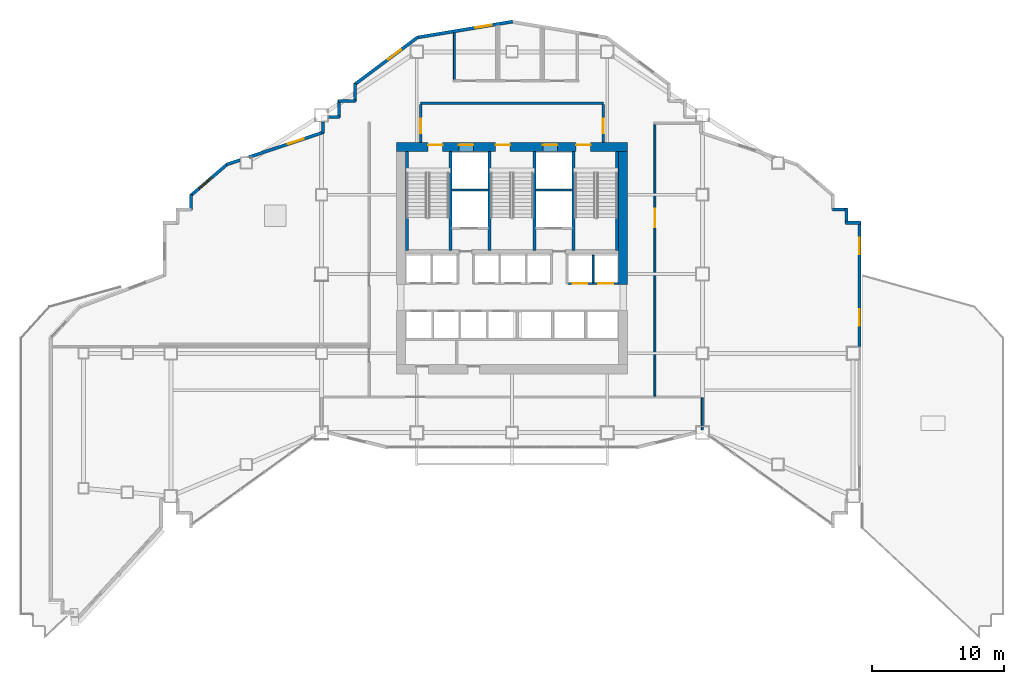
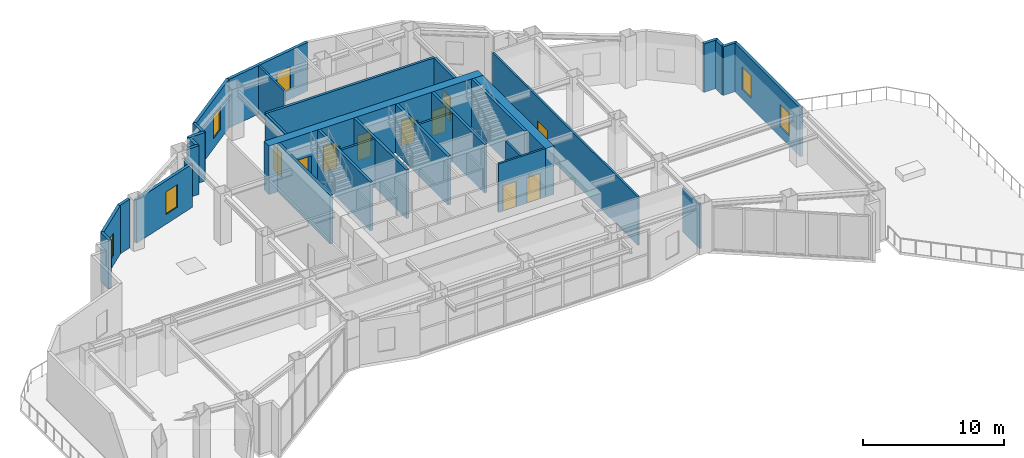
# One storey, part 11 of 19: 33 walls, 10 doors, 6 windows, 16 openings.
"""IFC4 building model written with IfcOpenShell, lengths in metres."""

import ifcopenshell
import ifcopenshell.guid

model = None  # the IFC model being written
_history = None  # IfcOwnerHistory: only IFC2X3 demands one
_inside = {}  # id of a spatial element -> (the spatial element, [elements in it])
_under = {}  # id of a project, library or spatial element -> (it, [spatial elements below it])
_declared = {}  # id of a project -> (the project, [libraries it declares])
_typed = {}  # id of a type object -> (the type object, [elements of that type])
_made_of = {}  # id of a material, layer set ... -> (it, [elements and type objects made of it])


def new_model(schema):
    """Start an empty IFC model of exactly this schema.

    Asked for "IFC4X3", IfcOpenShell would pick the latest addendum, in which some entities
    have other attributes; the version numbers below select the first issue.
    IFC2X3 requires an IfcOwnerHistory on every rooted entity: one is made here for all.
    """
    global model, _history
    if schema == "IFC4X3":
        model = ifcopenshell.file(schema_version=(4, 3, 0, 0))
    else:
        model = ifcopenshell.file(schema=schema)
    _inside.clear()
    _under.clear()
    _declared.clear()
    _typed.clear()
    _made_of.clear()
    _history = None
    if model.schema == "IFC2X3":
        org = make("IfcOrganization", Name="unknown")
        user = make(
            "IfcPersonAndOrganization",
            ThePerson=make("IfcPerson", FamilyName="unknown"),
            TheOrganization=org,
        )
        app = make(
            "IfcApplication",
            ApplicationDeveloper=org,
            Version="unknown",
            ApplicationFullName="unknown",
            ApplicationIdentifier="unknown",
        )
        _history = make(
            "IfcOwnerHistory",
            OwningUser=user,
            OwningApplication=app,
            ChangeAction="ADDED",
            CreationDate=0,
        )
    return model


def make(cls, **values):
    """One entity of the class cls with the attributes given. An attribute that is None is left unset."""
    return model.create_entity(
        cls, **{name: value for name, value in values.items() if value is not None}
    )


def rooted(cls, **values):
    """An entity with a GlobalId (a new one), such as an element, a storey or a relation."""
    return make(cls, GlobalId=ifcopenshell.guid.new(), OwnerHistory=_history, **values)


def si_unit(unit_type, name, prefix=None):
    """IfcSIUnit, for example si_unit("LENGTHUNIT", "METRE", prefix="MILLI")."""
    return make("IfcSIUnit", UnitType=unit_type, Prefix=prefix, Name=name)


def assignment(units):
    """IfcUnitAssignment: the units of a project."""
    return None if units is None else make("IfcUnitAssignment", Units=units)


def point(xyz):
    """IfcCartesianPoint."""
    return None if xyz is None else make("IfcCartesianPoint", Coordinates=xyz)


def direction(xyz):
    """IfcDirection."""
    return None if xyz is None else make("IfcDirection", DirectionRatios=xyz)


def frame(location, z_axis=None, x_axis=None):
    """IfcAxis2Placement3D, a coordinate frame: its origin and axes. An axis left out is left unset."""
    return make(
        "IfcAxis2Placement3D",
        Location=point(location),
        Axis=direction(z_axis),
        RefDirection=direction(x_axis),
    )


def frame_2d(location, x_axis=None):
    """IfcAxis2Placement2D, a coordinate frame in the plane: its origin and x axis."""
    return make(
        "IfcAxis2Placement2D", Location=point(location), RefDirection=direction(x_axis)
    )


def origin():
    """The frame at (0, 0, 0) with its axes left unset."""
    return frame((0.0, 0.0, 0.0))


def place(relative_to, where):
    """IfcLocalPlacement: puts the frame where relative to a parent placement (None: the world)."""
    return make(
        "IfcLocalPlacement", PlacementRelTo=relative_to, RelativePlacement=where
    )


def context(
    kind, dimensions, precision=None, world=None, true_north=None, identifier=None
):
    """IfcGeometricRepresentationContext, for example the 3D "Model" context."""
    return make(
        "IfcGeometricRepresentationContext",
        ContextIdentifier=identifier,
        ContextType=kind,
        CoordinateSpaceDimension=dimensions,
        Precision=precision,
        WorldCoordinateSystem=world,
        TrueNorth=true_north,
    )


def subcontext(parent, identifier, kind, view, scale=None):
    """IfcGeometricRepresentationSubContext, for example "Body" below "Model"."""
    return make(
        "IfcGeometricRepresentationSubContext",
        ContextIdentifier=identifier,
        ContextType=kind,
        ParentContext=parent,
        TargetScale=scale,
        TargetView=view,
    )


def project(units=None, contexts=None):
    """IfcProject with its units and contexts."""
    return rooted(
        "IfcProject",
        Name="project",
        RepresentationContexts=contexts,
        UnitsInContext=assignment(units),
    )


def spatial(cls, under=None, at=None, **own):
    """A site, building, storey or space (cls), placed at a placement, below another one or the project."""
    s = rooted(cls, ObjectPlacement=at, **own)
    if under is not None:
        _under.setdefault(under.id(), (under, []))[1].append(s)
    return s


def profile(cls, at=None, kind="AREA", **sizes):
    """A parametric profile (cls). Its sizes go by their IFC names, for example OverallWidth=200.0."""
    return make(cls, ProfileType=kind, Position=at, **sizes)


def rectangle(**sizes):
    """IfcRectangleProfileDef."""
    return profile("IfcRectangleProfileDef", **sizes)


def extrude(swept, where, along, depth):
    """IfcExtrudedAreaSolid: the profile swept, set in the frame where, extruded along a direction by depth."""
    return make(
        "IfcExtrudedAreaSolid",
        SweptArea=swept,
        Position=where,
        ExtrudedDirection=direction(along),
        Depth=depth,
    )


def shape(context_of_items, identifier, shape_type, items):
    """IfcShapeRepresentation: the items that make up one representation, for example the "Body"."""
    return make(
        "IfcShapeRepresentation",
        ContextOfItems=context_of_items,
        RepresentationIdentifier=identifier,
        RepresentationType=shape_type,
        Items=items,
    )


def material(Name=None, Category=None):
    """IfcMaterial."""
    return make("IfcMaterial", Name=Name, Category=Category)


def layer(
    of_material, thickness, ventilated=None, Name=None, Category=None, Priority=None
):
    """IfcMaterialLayer: one layer of a wall or slab, of a material (None: an air gap)."""
    return make(
        "IfcMaterialLayer",
        Material=of_material,
        LayerThickness=thickness,
        IsVentilated=ventilated,
        Name=Name,
        Category=Category,
        Priority=Priority,
    )


def layer_set(layers, Name=None):
    """IfcMaterialLayerSet."""
    return make("IfcMaterialLayerSet", MaterialLayers=layers, LayerSetName=Name)


def made_of(thing, what):
    """Note that an element or type object is made of a material, layer set ...; save() writes the relation."""
    if what is not None:
        _made_of.setdefault(what.id(), (what, []))[1].append(thing)
    return thing


def type_object(cls, material=None, **own):
    """A type object (cls), such as IfcWallType, which elements share."""
    return made_of(rooted(cls, **own), material)


def element(
    cls,
    number,
    at=None,
    inside=None,
    cuts=None,
    type_object=None,
    material=None,
    context=None,
    identifier="Body",
    shape_type=None,
    held_by="IfcProductDefinitionShape",
    body=None,
    shapes=None,
    **own,
):
    """One element of the class cls, such as IfcWall. Its Tag is "e" and its number.

    at: its placement. inside: the storey or other place that contains it. cuts: it is an
    opening in that element (IfcRelVoidsElement). A single representation is given by context,
    identifier, shape_type and body (its items); several are given by shapes. held_by: the class
    of the entity that holds the representations. save() writes the other relations.
    """
    e = rooted(cls, Tag="e%d" % number, ObjectPlacement=at, **own)
    if body is not None:
        shapes = [shape(context, identifier, shape_type, body)]
    if shapes is not None:
        e.Representation = make(held_by, Representations=shapes)
    if inside is not None:
        _inside.setdefault(inside.id(), (inside, []))[1].append(e)
    if cuts is not None:
        rooted(
            "IfcRelVoidsElement", RelatingBuildingElement=cuts, RelatedOpeningElement=e
        )
    if type_object is not None:
        _typed.setdefault(type_object.id(), (type_object, []))[1].append(e)
    return made_of(e, material)


def fill(opening, filler):
    """IfcRelFillsElement: the door or window that sits in an opening."""
    return rooted(
        "IfcRelFillsElement",
        RelatingOpeningElement=opening,
        RelatedBuildingElement=filler,
    )


def aggregate(whole, parts):
    """IfcRelAggregates: a whole, such as a stair, and the parts it consists of."""
    return rooted("IfcRelAggregates", RelatingObject=whole, RelatedObjects=parts)


def save(model, path):
    """Write the relations noted so far, then the file.

    IfcRelAggregates (storeys below a building ...), IfcRelContainedInSpatialStructure (elements
    in a storey), IfcRelDefinesByType, IfcRelAssociatesMaterial and IfcRelDeclares: one each for
    every whole, place, type object, material and project.
    """
    for whole, parts in _under.values():
        aggregate(whole, parts)
    for where, things in _inside.values():
        rooted(
            "IfcRelContainedInSpatialStructure",
            RelatedElements=things,
            RelatingStructure=where,
        )
    for kind, things in _typed.values():
        rooted("IfcRelDefinesByType", RelatedObjects=things, RelatingType=kind)
    for what, things in _made_of.values():
        rooted("IfcRelAssociatesMaterial", RelatedObjects=things, RelatingMaterial=what)
    for by, libraries in _declared.values():
        rooted("IfcRelDeclares", RelatingContext=by, RelatedDefinitions=libraries)
    model.write(path)


model = new_model("IFC4")

# Units and contexts
model_context = context("Model", 3, precision=1e-05, world=origin(), true_north=direction((0.0, 1.0)))
body_context = subcontext(model_context, "Body", "Model", "MODEL_VIEW")
ifc_project = project(units=[si_unit("LENGTHUNIT", "METRE"), si_unit("AREAUNIT", "SQUARE_METRE"), si_unit("VOLUMEUNIT", "CUBIC_METRE"), si_unit("PLANEANGLEUNIT", "RADIAN"), si_unit("MASSUNIT", "GRAM", prefix="KILO")], contexts=[model_context])

# Site, building, storey
site_placement = place(None, origin())
site = spatial("IfcSite", under=ifc_project, at=site_placement, CompositionType="ELEMENT")
building_placement = place(site_placement, origin())
building = spatial("IfcBuilding", under=site, at=building_placement, Name="Haolan Belvedere Tower", CompositionType="ELEMENT")
storey_placement = place(building_placement, frame((0.0, 0.0, 94.0)))
storey = spatial("IfcBuildingStorey", under=building, at=storey_placement, Name="L23", CompositionType="ELEMENT", Elevation=94.0)

# Wall, openings, doors
ifc_material_1 = material(Name="Concrete C60/75", Category="concrete")
ifc_layer_1 = layer(ifc_material_1, 0.699951171875, Name="Concrete C60/75")
ifc_layer_set_1 = layer_set([ifc_layer_1], Name="Concrete C60/75")
wall_type_1 = type_object("IfcWallType", Name="WL-CORE-700", PredefinedType="SHEAR", material=ifc_layer_set_1)
wall_1_placement = place(storey_placement, frame((29.64990234375, 43.199951171875, 0.0), z_axis=(0.0, 0.0, 1.0), x_axis=(1.0, 0.0, 0.0)))
wall_1 = element("IfcWall", 1, at=wall_1_placement, inside=storey, type_object=wall_type_1, Name="L23 central core north shear wall", PredefinedType="SHEAR", context=body_context, shape_type="SweptSolid", body=[
    extrude(rectangle(XDim=17.5, YDim=0.699951171875, at=frame_2d((8.75, 0.0))), origin(), (0.0, 0.0, 1.0), 4.199951171875),
])
opening_1_placement = place(wall_1_placement, frame((2.39990234375, 0.0, 0.0)))
opening_1 = element("IfcOpeningElement", 2, at=opening_1_placement, cuts=wall_1, Name="Opening FD-03", PredefinedType="OPENING", context=body_context, shape_type="SweptSolid", body=[
    extrude(rectangle(XDim=1.10009765625, YDim=2.14990234375, at=frame_2d((0.550048828125, 1.074951171875))), frame((0.0, 0.35986328125, 0.0), z_axis=(0.0, -1.0, 0.0), x_axis=(1.0, 0.0, 0.0)), (0.0, 0.0, 1.0), 0.719970703125),
])
opening_2_placement = place(wall_1_placement, frame((7.510009765625, 0.0, 0.0)))
opening_2 = element("IfcOpeningElement", 3, at=opening_2_placement, cuts=wall_1, Name="Opening FD-03", PredefinedType="OPENING", context=body_context, shape_type="SweptSolid", body=[
    extrude(rectangle(XDim=1.10009765625, YDim=2.14990234375, at=frame_2d((0.550048828125, 1.074951171875))), frame((0.0, 0.35986328125, 0.0), z_axis=(0.0, -1.0, 0.0), x_axis=(1.0, 0.0, 0.0)), (0.0, 0.0, 1.0), 0.719970703125),
])
opening_3_placement = place(wall_1_placement, frame((13.60009765625, 0.0, 0.0)))
opening_3 = element("IfcOpeningElement", 4, at=opening_3_placement, cuts=wall_1, Name="Opening FD-03", PredefinedType="OPENING", context=body_context, shape_type="SweptSolid", body=[
    extrude(rectangle(XDim=1.10009765625, YDim=2.14990234375, at=frame_2d((0.550048828125, 1.074951171875))), frame((0.0, 0.35986328125, 0.0), z_axis=(0.0, -1.0, 0.0), x_axis=(1.0, 0.0, 0.0)), (0.0, 0.0, 1.0), 0.719970703125),
])
opening_4_placement = place(wall_1_placement, frame((4.72998046875, 0.0, 0.0)))
opening_4 = element("IfcOpeningElement", 5, at=opening_4_placement, cuts=wall_1, Name="Opening LD-01", PredefinedType="OPENING", context=body_context, shape_type="SweptSolid", body=[
    extrude(rectangle(XDim=1.10009765625, YDim=2.199951171875, at=frame_2d((0.550048828125, 1.10009765625))), frame((0.0, 0.35986328125, 0.0), z_axis=(0.0, -1.0, 0.0), x_axis=(1.0, 0.0, 0.0)), (0.0, 0.0, 1.0), 0.719970703125),
])
opening_5_placement = place(wall_1_placement, frame((11.090087890625, 0.0, 0.0)))
opening_5 = element("IfcOpeningElement", 6, at=opening_5_placement, cuts=wall_1, Name="Opening LD-01", PredefinedType="OPENING", context=body_context, shape_type="SweptSolid", body=[
    extrude(rectangle(XDim=1.10009765625, YDim=2.199951171875, at=frame_2d((0.550048828125, 1.10009765625))), frame((0.0, 0.35986328125, 0.0), z_axis=(0.0, -1.0, 0.0), x_axis=(1.0, 0.0, 0.0)), (0.0, 0.0, 1.0), 0.719970703125),
])
ifc_material_2 = material(Name="Galvanised fire-rated steel", Category="steel")
door_type_1 = type_object("IfcDoorType", Name="DR-FD90-1100", OperationType="NOTDEFINED", PredefinedType="DOOR", material=ifc_material_2)
door_1_placement = place(opening_1_placement, origin())
door_1 = element("IfcDoor", 7, at=door_1_placement, inside=storey, type_object=door_type_1, Name="L23 door CD-L23-ST1", OperationType="SINGLE_SWING_LEFT", OverallHeight=2.14990234375, OverallWidth=1.10009765625, PredefinedType="DOOR", context=body_context, shape_type="SweptSolid", body=[
    extrude(rectangle(XDim=1.10009765625, YDim=2.14990234375, at=frame_2d((0.550048828125, 1.074951171875))), frame((0.0, 0.18505859375, 0.0), z_axis=(0.0, -1.0, 0.0), x_axis=(1.0, 0.0, 0.0)), (0.0, 0.0, 1.0), 0.050048828125),
])
fill(opening_1, door_1)
door_2_placement = place(opening_2_placement, origin())
door_2 = element("IfcDoor", 8, at=door_2_placement, inside=storey, type_object=door_type_1, Name="L23 door CD-L23-ST3", OperationType="SINGLE_SWING_LEFT", OverallHeight=2.14990234375, OverallWidth=1.10009765625, PredefinedType="DOOR", context=body_context, shape_type="SweptSolid", body=[
    extrude(rectangle(XDim=1.10009765625, YDim=2.14990234375, at=frame_2d((0.550048828125, 1.074951171875))), frame((0.0, 0.18505859375, 0.0), z_axis=(0.0, -1.0, 0.0), x_axis=(1.0, 0.0, 0.0)), (0.0, 0.0, 1.0), 0.050048828125),
])
fill(opening_2, door_2)
door_3_placement = place(opening_3_placement, origin())
door_3 = element("IfcDoor", 9, at=door_3_placement, inside=storey, type_object=door_type_1, Name="L23 door CD-L23-ST2", OperationType="SINGLE_SWING_RIGHT", OverallHeight=2.14990234375, OverallWidth=1.10009765625, PredefinedType="DOOR", context=body_context, shape_type="SweptSolid", body=[
    extrude(rectangle(XDim=1.10009765625, YDim=2.14990234375, at=frame_2d((0.550048828125, 1.074951171875))), frame((0.0, 0.18505859375, 0.0), z_axis=(0.0, -1.0, 0.0), x_axis=(1.0, 0.0, 0.0)), (0.0, 0.0, 1.0), 0.050048828125),
])
fill(opening_3, door_3)
ifc_material_3 = material(Name="Brushed champagne stainless steel 316L", Category="steel")
door_type_2 = type_object("IfcDoorType", Name="DR-LIFT-1100", OperationType="SLIDING_TO_LEFT", PredefinedType="DOOR", material=ifc_material_3)
door_4_placement = place(opening_4_placement, origin())
door_4 = element("IfcDoor", 10, at=door_4_placement, inside=storey, type_object=door_type_2, Name="L23 door LD-L23-FF1", OperationType="SLIDING_TO_LEFT", OverallHeight=2.199951171875, OverallWidth=1.10009765625, PredefinedType="DOOR", context=body_context, shape_type="SweptSolid", body=[
    extrude(rectangle(XDim=1.10009765625, YDim=2.199951171875, at=frame_2d((0.550048828125, 1.10009765625))), frame((0.0, 0.18505859375, 0.0), z_axis=(0.0, -1.0, 0.0), x_axis=(1.0, 0.0, 0.0)), (0.0, 0.0, 1.0), 0.050048828125),
])
fill(opening_4, door_4)
door_5_placement = place(opening_5_placement, origin())
door_5 = element("IfcDoor", 11, at=door_5_placement, inside=storey, type_object=door_type_2, Name="L23 door LD-L23-FF2", OperationType="SLIDING_TO_LEFT", OverallHeight=2.199951171875, OverallWidth=1.10009765625, PredefinedType="DOOR", context=body_context, shape_type="SweptSolid", body=[
    extrude(rectangle(XDim=1.10009765625, YDim=2.199951171875, at=frame_2d((0.550048828125, 1.10009765625))), frame((0.0, 0.18505859375, 0.0), z_axis=(0.0, -1.0, 0.0), x_axis=(1.0, 0.0, 0.0)), (0.0, 0.0, 1.0), 0.050048828125),
])
fill(opening_5, door_5)

# Wall
wall_2_placement = place(storey_placement, frame((46.800048828125, 32.800048828125, 0.0), z_axis=(0.0, 0.0, 1.0), x_axis=(0.0, 1.0, 0.0)))
element("IfcWall", 12, at=wall_2_placement, inside=storey, type_object=wall_type_1, Name="L23 central core shear wall EN", PredefinedType="SHEAR", context=body_context, shape_type="SweptSolid", body=[
    extrude(rectangle(XDim=10.050048828125, YDim=0.699951171875, at=frame_2d((5.02490234375, 0.0))), origin(), (0.0, 0.0, 1.0), 4.199951171875),
])

# Wall, openings, windows
ifc_material_4 = material(Name="Precast concrete C40/50", Category="concrete")
ifc_layer_2 = layer(ifc_material_4, 0.239990234375, Name="Precast concrete C40/50")
ifc_layer_set_2 = layer_set([ifc_layer_2], Name="Precast concrete C40/50")
wall_type_2 = type_object("IfcWallType", Name="WL-EXT-240", PredefinedType="SOLIDWALL", material=ifc_layer_set_2)
wall_3_placement = place(storey_placement, frame((64.679931640625, 28.092041015625, 0.0), z_axis=(0.0, 0.0, 1.0), x_axis=(0.0, 1.0, 0.0)))
wall_3 = element("IfcWall", 13, at=wall_3_placement, inside=storey, type_object=wall_type_2, Name="L23 pale-metal exterior spandrel wall 14.2", PredefinedType="SOLIDWALL", context=body_context, shape_type="SweptSolid", body=[
    extrude(rectangle(XDim=9.44287109375, YDim=0.239990234375, at=frame_2d((4.721435546875, 0.0))), origin(), (0.0, 0.0, 1.0), 4.199951171875),
])
opening_6_placement = place(wall_3_placement, frame((1.60009765625, 0.0, 0.85009765625)))
opening_6 = element("IfcOpeningElement", 14, at=opening_6_placement, cuts=wall_3, Name="Opening W-04", PredefinedType="OPENING", context=body_context, shape_type="SweptSolid", body=[
    extrude(rectangle(XDim=1.25, YDim=1.949951171875, at=frame_2d((0.625, 0.97509765625))), frame((0.0, 0.1298828125, 0.0), z_axis=(0.0, -1.0, 0.0), x_axis=(1.0, 0.0, 0.0)), (0.0, 0.0, 1.0), 0.260009765625),
])
opening_7_placement = place(wall_3_placement, frame((7.0, 0.0, 0.85009765625)))
opening_7 = element("IfcOpeningElement", 15, at=opening_7_placement, cuts=wall_3, Name="Opening W-04", PredefinedType="OPENING", context=body_context, shape_type="SweptSolid", body=[
    extrude(rectangle(XDim=1.25, YDim=1.949951171875, at=frame_2d((0.625, 0.97509765625))), frame((0.0, 0.1298828125, 0.0), z_axis=(0.0, -1.0, 0.0), x_axis=(1.0, 0.0, 0.0)), (0.0, 0.0, 1.0), 0.260009765625),
])
ifc_material_5 = material(Name="Anodised aluminium 6063-T6 and Low-E glass", Category="aluminium")
window_type = type_object("IfcWindowType", Name="WN-DECO-Z4", PartitioningType="SINGLE_PANEL", PredefinedType="WINDOW", material=ifc_material_5)
window_1_placement = place(opening_6_placement, origin())
window_1 = element("IfcWindow", 16, at=window_1_placement, inside=storey, type_object=window_type, Name="L23 Art Deco chevron window 1", OverallHeight=1.949951171875, OverallWidth=1.25, PartitioningType="SINGLE_PANEL", PredefinedType="WINDOW", context=body_context, shape_type="SweptSolid", body=[
    extrude(rectangle(XDim=1.25, YDim=1.949951171875, at=frame_2d((0.625, 0.97509765625))), frame((0.0, 0.030029296875, 0.0), z_axis=(0.0, -1.0, 0.0), x_axis=(1.0, 0.0, 0.0)), (0.0, 0.0, 1.0), 0.06005859375),
])
fill(opening_6, window_1)
window_2_placement = place(opening_7_placement, origin())
window_2 = element("IfcWindow", 17, at=window_2_placement, inside=storey, type_object=window_type, Name="L23 Art Deco chevron window 2", OverallHeight=1.949951171875, OverallWidth=1.25, PartitioningType="SINGLE_PANEL", PredefinedType="WINDOW", context=body_context, shape_type="SweptSolid", body=[
    extrude(rectangle(XDim=1.25, YDim=1.949951171875, at=frame_2d((0.625, 0.97509765625))), frame((0.0, 0.030029296875, 0.0), z_axis=(0.0, -1.0, 0.0), x_axis=(1.0, 0.0, 0.0)), (0.0, 0.0, 1.0), 0.06005859375),
])
fill(opening_7, window_2)

# Walls
wall_4_placement = place(storey_placement, frame((64.735107421875, 37.47998046875, 0.0), z_axis=(0.0, 0.0, 1.0), x_axis=(-1.0, 0.0, 0.0)))
element("IfcWall", 18, at=wall_4_placement, inside=storey, type_object=wall_type_2, Name="L23 pale-metal exterior spandrel wall 15.1", PredefinedType="SOLIDWALL", context=body_context, shape_type="SweptSolid", body=[
    extrude(rectangle(XDim=1.110107421875, YDim=0.239990234375, at=frame_2d((0.55517578125, 0.0))), origin(), (0.0, 0.0, 1.0), 4.199951171875),
])
wall_5_placement = place(storey_placement, frame((63.679931640625, 37.425048828125, 0.0), z_axis=(0.0, 0.0, 1.0), x_axis=(0.0, 1.0, 0.0)))
element("IfcWall", 19, at=wall_5_placement, inside=storey, type_object=wall_type_2, Name="L23 pale-metal exterior spandrel wall 16.1", PredefinedType="SOLIDWALL", context=body_context, shape_type="SweptSolid", body=[
    extrude(rectangle(XDim=1.10986328125, YDim=0.239990234375, at=frame_2d((0.554931640625, 0.0))), origin(), (0.0, 0.0, 1.0), 4.199951171875),
])
wall_6_placement = place(storey_placement, frame((63.735107421875, 38.47998046875, 0.0), z_axis=(0.0, 0.0, 1.0), x_axis=(-1.0, 0.0, 0.0)))
element("IfcWall", 20, at=wall_6_placement, inside=storey, type_object=wall_type_2, Name="L23 pale-metal exterior spandrel wall 17.1", PredefinedType="SOLIDWALL", context=body_context, shape_type="SweptSolid", body=[
    extrude(rectangle(XDim=1.110107421875, YDim=0.239990234375, at=frame_2d((0.55517578125, 0.0))), origin(), (0.0, 0.0, 1.0), 4.199951171875),
])

# Wall, opening, window
wall_7_placement = place(storey_placement, frame((38.454345703125, 52.687255859375, 0.0), z_axis=(0.0, 0.0, 1.0), x_axis=(-0.986394820321, -0.164393608283, 0.0)))
wall_7 = element("IfcWall", 21, at=wall_7_placement, inside=storey, type_object=wall_type_2, Name="L23 pale-metal exterior spandrel wall 28.1", PredefinedType="SOLIDWALL", context=body_context, shape_type="SweptSolid", body=[
    extrude(rectangle(XDim=7.360107421875, YDim=0.239990234375, at=frame_2d((3.68017578125, 0.0))), origin(), (0.0, 0.0, 1.0), 4.199951171875),
])
opening_8_placement = place(wall_7_placement, frame((1.60009765625, 0.0, 0.85009765625)))
opening_8 = element("IfcOpeningElement", 22, at=opening_8_placement, cuts=wall_7, Name="Opening W-04", PredefinedType="OPENING", context=body_context, shape_type="SweptSolid", body=[
    extrude(rectangle(XDim=1.25, YDim=1.949951171875, at=frame_2d((0.625, 0.97509765625))), frame((0.0, 0.1298828125, 0.0), z_axis=(0.0, -1.0, 0.0), x_axis=(1.0, 0.0, 0.0)), (0.0, 0.0, 1.0), 0.260009765625),
])
window_3_placement = place(opening_8_placement, origin())
window_3 = element("IfcWindow", 23, at=window_3_placement, inside=storey, type_object=window_type, Name="L23 Art Deco chevron window 1", OverallHeight=1.949951171875, OverallWidth=1.25, PartitioningType="SINGLE_PANEL", PredefinedType="WINDOW", context=body_context, shape_type="SweptSolid", body=[
    extrude(rectangle(XDim=1.25, YDim=1.949951171875, at=frame_2d((0.625, 0.97509765625))), frame((0.0, 0.030029296875, 0.0), z_axis=(0.0, -1.0, 0.0), x_axis=(1.0, 0.0, 0.0)), (0.0, 0.0, 1.0), 0.06005859375),
])
fill(opening_8, window_3)

wall_8_placement = place(storey_placement, frame((31.29248046875, 51.519287109375, 0.0), z_axis=(0.0, 0.0, 1.0), x_axis=(-0.8, -0.6, 0.0)))
wall_8 = element("IfcWall", 24, at=wall_8_placement, inside=storey, type_object=wall_type_2, Name="L23 pale-metal exterior spandrel wall 29.1", PredefinedType="SOLIDWALL", context=body_context, shape_type="SweptSolid", body=[
    extrude(rectangle(XDim=6.0205078125, YDim=0.239990234375, at=frame_2d((3.01025390625, 0.0))), origin(), (0.0, 0.0, 1.0), 4.199951171875),
])
opening_9_placement = place(wall_8_placement, frame((1.60009765625, 0.0, 0.85009765625)))
opening_9 = element("IfcOpeningElement", 25, at=opening_9_placement, cuts=wall_8, Name="Opening W-04", PredefinedType="OPENING", context=body_context, shape_type="SweptSolid", body=[
    extrude(rectangle(XDim=1.25, YDim=1.949951171875, at=frame_2d((0.625, 0.97509765625))), frame((0.0, 0.1298828125, 0.0), z_axis=(0.0, -1.0, 0.0), x_axis=(1.0, 0.0, 0.0)), (0.0, 0.0, 1.0), 0.260009765625),
])
window_4_placement = place(opening_9_placement, origin())
window_4 = element("IfcWindow", 26, at=window_4_placement, inside=storey, type_object=window_type, Name="L23 Art Deco chevron window 1", OverallHeight=1.949951171875, OverallWidth=1.25, PartitioningType="SINGLE_PANEL", PredefinedType="WINDOW", context=body_context, shape_type="SweptSolid", body=[
    extrude(rectangle(XDim=1.25, YDim=1.949951171875, at=frame_2d((0.625, 0.97509765625))), frame((0.0, 0.030029296875, 0.0), z_axis=(0.0, -1.0, 0.0), x_axis=(1.0, 0.0, 0.0)), (0.0, 0.0, 1.0), 0.06005859375),
])
fill(opening_9, window_4)

# Walls
wall_9_placement = place(storey_placement, frame((26.52001953125, 47.9951171875, 0.0), z_axis=(0.0, 0.0, 1.0), x_axis=(0.0, -1.0, 0.0)))
element("IfcWall", 27, at=wall_9_placement, inside=storey, type_object=wall_type_2, Name="L23 pale-metal exterior spandrel wall 30.1", PredefinedType="SOLIDWALL", context=body_context, shape_type="SweptSolid", body=[
    extrude(rectangle(XDim=1.3701171875, YDim=0.239990234375, at=frame_2d((0.68505859375, 0.0))), origin(), (0.0, 0.0, 1.0), 4.199951171875),
])
for number, where, z_axis, x_axis, name in (
    (28, (26.574951171875, 46.679931640625, 0.0), (0.0, 0.0, 1.0), (-1.0, 0.0, 0.0), "L23 pale-metal exterior spandrel wall 31.1"),
    (29, (25.320068359375, 46.735107421875, 0.0), (0.0, 0.0, 1.0), (0.0, -1.0, 0.0), "L23 pale-metal exterior spandrel wall 32.1"),
):
    element("IfcWall", number, at=place(storey_placement, frame(where, z_axis=z_axis, x_axis=x_axis)), inside=storey, type_object=wall_type_2, Name=name, PredefinedType="SOLIDWALL", context=body_context, shape_type="SweptSolid", body=[
        extrude(rectangle(XDim=1.31005859375, YDim=0.239990234375, at=frame_2d((0.655029296875, 0.0))), origin(), (0.0, 0.0, 1.0), 4.199951171875),
    ])
wall_10_placement = place(storey_placement, frame((25.375, 45.47998046875, 0.0), z_axis=(0.0, 0.0, 1.0), x_axis=(-1.0, 0.0, 0.0)))
element("IfcWall", 30, at=wall_10_placement, inside=storey, type_object=wall_type_2, Name="L23 pale-metal exterior spandrel wall 33.1", PredefinedType="SOLIDWALL", context=body_context, shape_type="SweptSolid", body=[
    extrude(rectangle(XDim=0.883056640625, YDim=0.239990234375, at=frame_2d((0.44140625, 0.0))), origin(), (0.0, 0.0, 1.0), 4.199951171875),
])
wall_11_placement = place(storey_placement, frame((24.1201171875, 45.10791015625, 0.0), z_axis=(0.0, 0.0, 1.0), x_axis=(0.0, -1.0, 0.0)))
element("IfcWall", 31, at=wall_11_placement, inside=storey, type_object=wall_type_2, Name="L23 pale-metal exterior spandrel wall 34.1", PredefinedType="SOLIDWALL", context=body_context, shape_type="SweptSolid", body=[
    extrude(rectangle(XDim=0.849365234375, YDim=0.239990234375, at=frame_2d((0.4248046875, 0.0))), origin(), (0.0, 0.0, 1.0), 3.7451171875),
])

# Wall, opening, window
wall_12_placement = place(storey_placement, frame((24.172119140625, 44.330810546875, 0.0), z_axis=(0.0, 0.0, 1.0), x_axis=(-0.948683298051, -0.316227766017, 0.0)))
wall_12 = element("IfcWall", 32, at=wall_12_placement, inside=storey, type_object=wall_type_2, Name="L23 pale-metal exterior spandrel wall 35.1", PredefinedType="SOLIDWALL", context=body_context, shape_type="SweptSolid", body=[
    extrude(rectangle(XDim=5.973388671875, YDim=0.239990234375, at=frame_2d((2.98681640625, 0.0))), origin(), (0.0, 0.0, 1.0), 3.7451171875),
])
opening_10_placement = place(wall_12_placement, frame((1.60009765625, 0.0, 0.85009765625)))
opening_10 = element("IfcOpeningElement", 33, at=opening_10_placement, cuts=wall_12, Name="Opening W-04", PredefinedType="OPENING", context=body_context, shape_type="SweptSolid", body=[
    extrude(rectangle(XDim=1.25, YDim=1.949951171875, at=frame_2d((0.625, 0.97509765625))), frame((0.0, 0.1298828125, 0.0), z_axis=(0.0, -1.0, 0.0), x_axis=(1.0, 0.0, 0.0)), (0.0, 0.0, 1.0), 0.260009765625),
])
window_5_placement = place(opening_10_placement, origin())
window_5 = element("IfcWindow", 34, at=window_5_placement, inside=storey, type_object=window_type, Name="L23 Art Deco chevron window 1", OverallHeight=1.949951171875, OverallWidth=1.25, PartitioningType="SINGLE_PANEL", PredefinedType="WINDOW", context=body_context, shape_type="SweptSolid", body=[
    extrude(rectangle(XDim=1.25, YDim=1.949951171875, at=frame_2d((0.625, 0.97509765625))), frame((0.0, 0.030029296875, 0.0), z_axis=(0.0, -1.0, 0.0), x_axis=(1.0, 0.0, 0.0)), (0.0, 0.0, 1.0), 0.06005859375),
])
fill(opening_10, window_5)

# Wall
wall_13_placement = place(storey_placement, frame((17.85791015625, 42.226318359375, 0.0), z_axis=(0.0, 0.0, 1.0), x_axis=(-0.948639166064, -0.316360131194, 0.0)))
element("IfcWall", 35, at=wall_13_placement, inside=storey, type_object=wall_type_2, Name="L23 pale-metal exterior spandrel wall 35.2", PredefinedType="SOLIDWALL", context=body_context, shape_type="SweptSolid", body=[
    extrude(rectangle(XDim=1.106689453125, YDim=0.239990234375, at=frame_2d((0.55322265625, 0.0))), origin(), (0.0, 0.0, 1.0), 4.199951171875),
])

# Wall, opening, window
wall_14_placement = place(storey_placement, frame((16.902099609375, 41.929443359375, 0.0), z_axis=(0.0, 0.0, 1.0), x_axis=(-0.759275136126, -0.650769750112, 0.0)))
wall_14 = element("IfcWall", 36, at=wall_14_placement, inside=storey, type_object=wall_type_2, Name="L23 pale-metal exterior spandrel wall 36.1", PredefinedType="SOLIDWALL", context=body_context, shape_type="SweptSolid", body=[
    extrude(rectangle(XDim=3.71923828125, YDim=0.239990234375, at=frame_2d((1.859619140625, 0.0))), origin(), (0.0, 0.0, 1.0), 4.199951171875),
])
opening_11_placement = place(wall_14_placement, frame((1.60009765625, 0.0, 0.85009765625)))
opening_11 = element("IfcOpeningElement", 37, at=opening_11_placement, cuts=wall_14, Name="Opening W-04", PredefinedType="OPENING", context=body_context, shape_type="SweptSolid", body=[
    extrude(rectangle(XDim=1.25, YDim=1.949951171875, at=frame_2d((0.625, 0.97509765625))), frame((0.0, 0.1298828125, 0.0), z_axis=(0.0, -1.0, 0.0), x_axis=(1.0, 0.0, 0.0)), (0.0, 0.0, 1.0), 0.260009765625),
])
window_6_placement = place(opening_11_placement, origin())
window_6 = element("IfcWindow", 38, at=window_6_placement, inside=storey, type_object=window_type, Name="L23 Art Deco chevron window 1", OverallHeight=1.949951171875, OverallWidth=1.25, PartitioningType="SINGLE_PANEL", PredefinedType="WINDOW", context=body_context, shape_type="SweptSolid", body=[
    extrude(rectangle(XDim=1.25, YDim=1.949951171875, at=frame_2d((0.625, 0.97509765625))), frame((0.0, 0.030029296875, 0.0), z_axis=(0.0, -1.0, 0.0), x_axis=(1.0, 0.0, 0.0)), (0.0, 0.0, 1.0), 0.06005859375),
])
fill(opening_11, window_6)

# Walls
wall_15_placement = place(storey_placement, frame((14.1201171875, 39.599853515625, 0.0), z_axis=(0.0, 0.0, 1.0), x_axis=(0.0, -1.0, 0.0)))
element("IfcWall", 39, at=wall_15_placement, inside=storey, type_object=wall_type_2, Name="L23 pale-metal exterior spandrel wall 37.1", PredefinedType="SOLIDWALL", context=body_context, shape_type="SweptSolid", body=[
    extrude(rectangle(XDim=1.1748046875, YDim=0.239990234375, at=frame_2d((0.58740234375, 0.0))), origin(), (0.0, 0.0, 1.0), 4.199951171875),
])
ifc_material_6 = material(Name="Concrete C40/50", Category="concrete")
ifc_layer_3 = layer(ifc_material_6, 0.199951171875, Name="Concrete C40/50")
ifc_layer_set_3 = layer_set([ifc_layer_3], Name="Concrete C40/50")
wall_type_3 = type_object("IfcWallType", Name="WL-FIRE-200", PredefinedType="SOLIDWALL", material=ifc_layer_set_3)
wall_16_placement = place(storey_placement, frame((31.5, 46.52001953125, 0.0), z_axis=(0.0, 0.0, 1.0), x_axis=(1.0, 0.0, 0.0)))
element("IfcWall", 40, at=wall_16_placement, inside=storey, type_object=wall_type_3, Name="L23 interior partition IW-L23-FFL-N", PredefinedType="SOLIDWALL", context=body_context, shape_type="SweptSolid", body=[
    extrude(rectangle(XDim=13.800048828125, YDim=0.199951171875, at=frame_2d((6.89990234375, 0.0))), origin(), (0.0, 0.0, 1.0), 4.199951171875),
])

# Wall, opening, door
wall_17_placement = place(storey_placement, frame((31.5, 43.550048828125, 0.0), z_axis=(0.0, 0.0, 1.0), x_axis=(0.0, 1.0, 0.0)))
wall_17 = element("IfcWall", 41, at=wall_17_placement, inside=storey, type_object=wall_type_3, Name="L23 interior partition IW-L23-FFL-W", PredefinedType="SOLIDWALL", context=body_context, shape_type="SweptSolid", body=[
    extrude(rectangle(XDim=2.885009765625, YDim=0.199951171875, at=frame_2d((1.4423828125, 0.0))), origin(), (0.0, 0.0, 1.0), 4.199951171875),
])
opening_12_placement = place(wall_17_placement, frame((1.800048828125, 0.0, 0.0), z_axis=(0.0, 0.0, 1.0), x_axis=(-1.0, 0.0, 0.0)))
opening_12 = element("IfcOpeningElement", 42, at=opening_12_placement, cuts=wall_17, Name="Opening FD-03", PredefinedType="OPENING", context=body_context, shape_type="SweptSolid", body=[
    extrude(rectangle(XDim=1.10009765625, YDim=2.14990234375, at=frame_2d((0.550048828125, 1.074951171875))), frame((0.0, 0.10986328125, 0.0), z_axis=(0.0, -1.0, 0.0), x_axis=(1.0, 0.0, 0.0)), (0.0, 0.0, 1.0), 0.219970703125),
])
door_6_placement = place(opening_12_placement, origin())
door_6 = element("IfcDoor", 43, at=door_6_placement, inside=storey, type_object=door_type_1, Name="L23 door ID-L23-FFL-DW", OperationType="SINGLE_SWING_LEFT", OverallHeight=2.14990234375, OverallWidth=1.10009765625, PredefinedType="DOOR", context=body_context, shape_type="SweptSolid", body=[
    extrude(rectangle(XDim=1.10009765625, YDim=2.14990234375, at=frame_2d((0.550048828125, 1.074951171875))), frame((0.0, 0.02490234375, 0.0), z_axis=(0.0, -1.0, 0.0), x_axis=(1.0, 0.0, 0.0)), (0.0, 0.0, 1.0), 0.050048828125),
])
fill(opening_12, door_6)

wall_18_placement = place(storey_placement, frame((45.300048828125, 43.550048828125, 0.0), z_axis=(0.0, 0.0, 1.0), x_axis=(0.0, 1.0, 0.0)))
wall_18 = element("IfcWall", 44, at=wall_18_placement, inside=storey, type_object=wall_type_3, Name="L23 interior partition IW-L23-FFL-E", PredefinedType="SOLIDWALL", context=body_context, shape_type="SweptSolid", body=[
    extrude(rectangle(XDim=2.885009765625, YDim=0.199951171875, at=frame_2d((1.4423828125, 0.0))), origin(), (0.0, 0.0, 1.0), 4.199951171875),
])
opening_13_placement = place(wall_18_placement, frame((0.699951171875, 0.0, 0.0)))
opening_13 = element("IfcOpeningElement", 45, at=opening_13_placement, cuts=wall_18, Name="Opening FD-03", PredefinedType="OPENING", context=body_context, shape_type="SweptSolid", body=[
    extrude(rectangle(XDim=1.10009765625, YDim=2.14990234375, at=frame_2d((0.550048828125, 1.074951171875))), frame((0.0, 0.10986328125, 0.0), z_axis=(0.0, -1.0, 0.0), x_axis=(1.0, 0.0, 0.0)), (0.0, 0.0, 1.0), 0.219970703125),
])
door_7_placement = place(opening_13_placement, origin())
door_7 = element("IfcDoor", 46, at=door_7_placement, inside=storey, type_object=door_type_1, Name="L23 door ID-L23-FFL-DE", OperationType="SINGLE_SWING_RIGHT", OverallHeight=2.14990234375, OverallWidth=1.10009765625, PredefinedType="DOOR", context=body_context, shape_type="SweptSolid", body=[
    extrude(rectangle(XDim=1.10009765625, YDim=2.14990234375, at=frame_2d((0.550048828125, 1.074951171875))), frame((0.0, 0.02490234375, 0.0), z_axis=(0.0, -1.0, 0.0), x_axis=(1.0, 0.0, 0.0)), (0.0, 0.0, 1.0), 0.050048828125),
])
fill(opening_13, door_7)

# Walls
ifc_material_7 = material(Name="Double gypsum acoustic stud partition", Category="masonry")
ifc_layer_4 = layer(ifc_material_7, 0.14990234375, Name="Double gypsum acoustic stud partition")
ifc_layer_set_4 = layer_set([ifc_layer_4], Name="Double gypsum acoustic stud partition")
wall_type_4 = type_object("IfcWallType", Name="WL-PART-150", PredefinedType="PARTITIONING", material=ifc_layer_set_4)
wall_19_placement = place(storey_placement, frame((34.050048828125, 48.260009765625, 0.0), z_axis=(0.0, 0.0, 1.0), x_axis=(0.0, 1.0, 0.0)))
element("IfcWall", 47, at=wall_19_placement, inside=storey, type_object=wall_type_4, Name="L23 interior partition IW-L23-WCM-W", PredefinedType="PARTITIONING", context=body_context, shape_type="SweptSolid", body=[
    extrude(rectangle(XDim=3.5869140625, YDim=0.14990234375, at=frame_2d((1.79345703125, 0.0))), origin(), (0.0, 0.0, 1.0), 4.199951171875),
])
wall_20_placement = place(storey_placement, frame((52.800048828125, 21.818603515625, 0.0), z_axis=(0.0, 0.0, 1.0), x_axis=(0.0, 1.0, 0.0)))
element("IfcWall", 48, at=wall_20_placement, inside=storey, type_object=wall_type_4, Name="L23 interior partition IW-L23-SKYL-E", PredefinedType="PARTITIONING", context=body_context, shape_type="SweptSolid", body=[
    extrude(rectangle(XDim=2.42138671875, YDim=0.14990234375, at=frame_2d((1.210693359375, 0.0))), origin(), (0.0, 0.0, 1.0), 3.7451171875),
])

# Wall, opening, door
wall_21_placement = place(storey_placement, frame((49.199951171875, 24.360107421875, 0.0), z_axis=(0.0, 0.0, 1.0), x_axis=(0.0, 1.0, 0.0)))
wall_21 = element("IfcWall", 49, at=wall_21_placement, inside=storey, type_object=wall_type_4, Name="L23 interior partition IW-L23-CLUB-W", PredefinedType="PARTITIONING", context=body_context, shape_type="SweptSolid", body=[
    extrude(rectangle(XDim=20.579833984375, YDim=0.14990234375, at=frame_2d((10.2900390625, 0.0))), origin(), (0.0, 0.0, 1.0), 4.199951171875),
])
opening_14_placement = place(wall_21_placement, frame((12.78857421875, 0.0, 0.0)))
opening_14 = element("IfcOpeningElement", 50, at=opening_14_placement, cuts=wall_21, Name="Opening ID-07", PredefinedType="OPENING", context=body_context, shape_type="SweptSolid", body=[
    extrude(rectangle(XDim=1.39990234375, YDim=2.179931640625, at=frame_2d((0.699951171875, 1.08984375))), frame((0.0, 0.0849609375, 0.0), z_axis=(0.0, -1.0, 0.0), x_axis=(1.0, 0.0, 0.0)), (0.0, 0.0, 1.0), 0.169921875),
])
ifc_material_8 = material(Name="Anodised champagne aluminium and acoustic glass", Category="aluminium")
door_type_3 = type_object("IfcDoorType", Name="DR-DBL-1400", OperationType="DOUBLE_DOOR_SINGLE_SWING", PredefinedType="DOOR", material=ifc_material_8)
door_8_placement = place(opening_14_placement, origin())
door_8 = element("IfcDoor", 51, at=door_8_placement, inside=storey, type_object=door_type_3, Name="L23 door ID-L23-CLUB", OperationType="DOUBLE_DOOR_SINGLE_SWING", OverallHeight=2.179931640625, OverallWidth=1.39990234375, PredefinedType="DOOR", context=body_context, shape_type="SweptSolid", body=[
    extrude(rectangle(XDim=1.39990234375, YDim=2.179931640625, at=frame_2d((0.699951171875, 1.08984375))), frame((0.0, 0.02490234375, 0.0), z_axis=(0.0, -1.0, 0.0), x_axis=(1.0, 0.0, 0.0)), (0.0, 0.0, 1.0), 0.050048828125),
])
fill(opening_14, door_8)

# Wall, openings, doors
ifc_material_9 = material(Name="Gypsum fire shaftwall assembly", Category="masonry")
ifc_layer_5 = layer(ifc_material_9, 0.1650390625, Name="Gypsum fire shaftwall assembly")
ifc_layer_set_5 = layer_set([ifc_layer_5], Name="Gypsum fire shaftwall assembly")
wall_type_5 = type_object("IfcWallType", Name="WL-SHAFT-160", PredefinedType="SOLIDWALL", material=ifc_layer_set_5)
wall_22_placement = place(storey_placement, frame((42.6298828125, 32.8798828125, 0.0), z_axis=(0.0, 0.0, 1.0), x_axis=(1.0, 0.0, 0.0)))
wall_22 = element("IfcWall", 52, at=wall_22_placement, inside=storey, type_object=wall_type_5, Name="L23 interior partition IW-L23-ROW-PN3", PredefinedType="SOLIDWALL", context=body_context, shape_type="SweptSolid", body=[
    extrude(rectangle(XDim=3.820068359375, YDim=0.159912109375, at=frame_2d((1.91015625, 0.0))), origin(), (0.0, 0.0, 1.0), 4.199951171875),
])
opening_15_placement = place(wall_22_placement, frame((1.4501953125, 0.0, 0.0), z_axis=(0.0, 0.0, 1.0), x_axis=(-1.0, 0.0, 0.0)))
opening_15 = element("IfcOpeningElement", 53, at=opening_15_placement, cuts=wall_22, Name="Opening LD-01", PredefinedType="OPENING", context=body_context, shape_type="SweptSolid", body=[
    extrude(rectangle(XDim=1.10009765625, YDim=2.199951171875, at=frame_2d((0.550048828125, 1.10009765625))), frame((0.0, 0.08984375, 0.0), z_axis=(0.0, -1.0, 0.0), x_axis=(1.0, 0.0, 0.0)), (0.0, 0.0, 1.0), 0.179931640625),
])
opening_16_placement = place(wall_22_placement, frame((3.41015625, 0.0, 0.0), z_axis=(0.0, 0.0, 1.0), x_axis=(-1.0, 0.0, 0.0)))
opening_16 = element("IfcOpeningElement", 54, at=opening_16_placement, cuts=wall_22, Name="Opening LD-01", PredefinedType="OPENING", context=body_context, shape_type="SweptSolid", body=[
    extrude(rectangle(XDim=1.10009765625, YDim=2.199951171875, at=frame_2d((0.550048828125, 1.10009765625))), frame((0.0, 0.08984375, 0.0), z_axis=(0.0, -1.0, 0.0), x_axis=(1.0, 0.0, 0.0)), (0.0, 0.0, 1.0), 0.179931640625),
])
door_9_placement = place(opening_15_placement, origin())
door_9 = element("IfcDoor", 55, at=door_9_placement, inside=storey, type_object=door_type_2, Name="L23 door ID-L23-LD-PH2", OperationType="SLIDING_TO_RIGHT", OverallHeight=2.199951171875, OverallWidth=1.10009765625, PredefinedType="DOOR", context=body_context, shape_type="SweptSolid", body=[
    extrude(rectangle(XDim=1.10009765625, YDim=2.199951171875, at=frame_2d((0.550048828125, 1.10009765625))), frame((0.0, 0.02490234375, 0.0), z_axis=(0.0, -1.0, 0.0), x_axis=(1.0, 0.0, 0.0)), (0.0, 0.0, 1.0), 0.050048828125),
])
fill(opening_15, door_9)
door_10_placement = place(opening_16_placement, origin())
door_10 = element("IfcDoor", 56, at=door_10_placement, inside=storey, type_object=door_type_2, Name="L23 door ID-L23-LD-PH3", OperationType="SLIDING_TO_RIGHT", OverallHeight=2.199951171875, OverallWidth=1.10009765625, PredefinedType="DOOR", context=body_context, shape_type="SweptSolid", body=[
    extrude(rectangle(XDim=1.10009765625, YDim=2.199951171875, at=frame_2d((0.550048828125, 1.10009765625))), frame((0.0, 0.02490234375, 0.0), z_axis=(0.0, -1.0, 0.0), x_axis=(1.0, 0.0, 0.0)), (0.0, 0.0, 1.0), 0.050048828125),
])
fill(opening_16, door_10)

# Walls
wall_23_placement = place(storey_placement, frame((44.530029296875, 32.949951171875, 0.0), z_axis=(0.0, 0.0, 1.0), x_axis=(0.0, 1.0, 0.0)))
element("IfcWall", 57, at=wall_23_placement, inside=storey, type_object=wall_type_5, Name="L23 interior partition IW-L23-DIV-PH2", PredefinedType="SOLIDWALL", context=body_context, shape_type="SweptSolid", body=[
    extrude(rectangle(XDim=2.050048828125, YDim=0.14990234375, at=frame_2d((1.02490234375, 0.0))), origin(), (0.0, 0.0, 1.0), 4.199951171875),
])
ifc_layer_6 = layer(ifc_material_4, 0.179931640625, Name="Precast concrete C40/50")
ifc_layer_set_6 = layer_set([ifc_layer_6], Name="Precast concrete C40/50")
wall_type_6 = type_object("IfcWallType", Name="WL-SHAFT-180", PredefinedType="SOLIDWALL", material=ifc_layer_set_6)
for number, where, z_axis, x_axis, name in (
    (58, (33.8349609375, 39.949951171875, 0.0), (0.0, 0.0, 1.0), (1.0, 0.0, 0.0), "L23 interior partition IW-L23-FF1-S"),
    (59, (40.195068359375, 39.949951171875, 0.0), (0.0, 0.0, 1.0), (1.0, 0.0, 0.0), "L23 interior partition IW-L23-FF2-S"),
):
    element("IfcWall", number, at=place(storey_placement, frame(where, z_axis=z_axis, x_axis=x_axis)), inside=storey, type_object=wall_type_6, Name=name, PredefinedType="SOLIDWALL", context=body_context, shape_type="SweptSolid", body=[
        extrude(rectangle(XDim=2.77001953125, YDim=0.179931640625, at=frame_2d((1.385009765625, 0.0))), origin(), (0.0, 0.0, 1.0), 4.199951171875),
    ])
ifc_material_10 = material(Name="Concrete C50/60", Category="concrete")
ifc_layer_7 = layer(ifc_material_10, 0.219970703125, Name="Concrete C50/60")
ifc_layer_set_7 = layer_set([ifc_layer_7], Name="Concrete C50/60")
wall_type_7 = type_object("IfcWallType", Name="WL-STAIR-220", PredefinedType="SHEAR", material=ifc_layer_set_7)
for number, where, z_axis, x_axis, name in (
    (60, (30.4619140625, 35.389892578125, 0.0), (0.0, 0.0, 1.0), (0.0, 1.0, 0.0), "L23 structural stair core wall ST1W"),
    (61, (33.739990234375, 35.389892578125, 0.0), (0.0, 0.0, 1.0), (0.0, 1.0, 0.0), "L23 structural stair core wall ST1E"),
    (62, (36.699951171875, 35.389892578125, 0.0), (0.0, 0.0, 1.0), (0.0, 1.0, 0.0), "L23 structural stair core wall ST3W"),
    (63, (40.10009765625, 35.389892578125, 0.0), (0.0, 0.0, 1.0), (0.0, 1.0, 0.0), "L23 structural stair core wall ST3E"),
    (64, (43.06005859375, 35.389892578125, 0.0), (0.0, 0.0, 1.0), (0.0, 1.0, 0.0), "L23 structural stair core wall ST2W"),
    (65, (46.337890625, 35.389892578125, 0.0), (0.0, 0.0, 1.0), (0.0, 1.0, 0.0), "L23 structural stair core wall ST2E"),
):
    element("IfcWall", number, at=place(storey_placement, frame(where, z_axis=z_axis, x_axis=x_axis)), inside=storey, type_object=wall_type_7, Name=name, PredefinedType="SHEAR", context=body_context, shape_type="SweptSolid", body=[
        extrude(rectangle(XDim=7.460205078125, YDim=0.219970703125, at=frame_2d((3.72998046875, 0.0))), origin(), (0.0, 0.0, 1.0), 4.199951171875),
    ])

save(model, "model.ifc")
